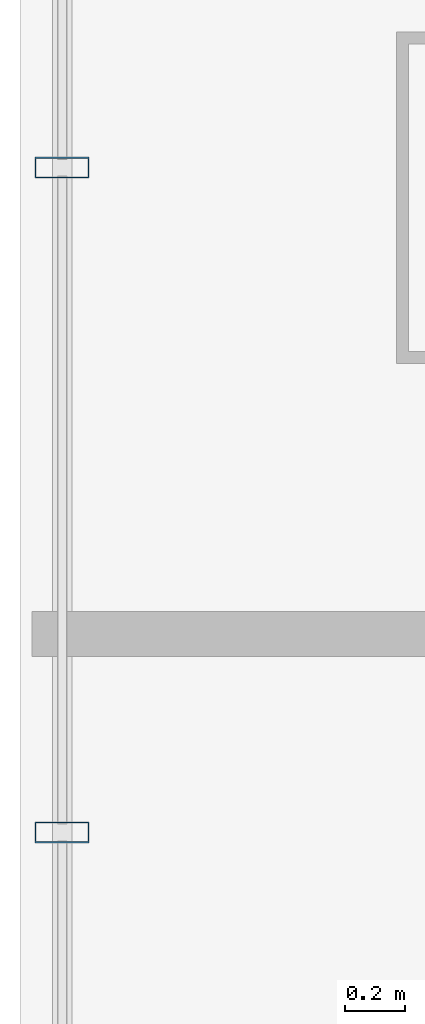
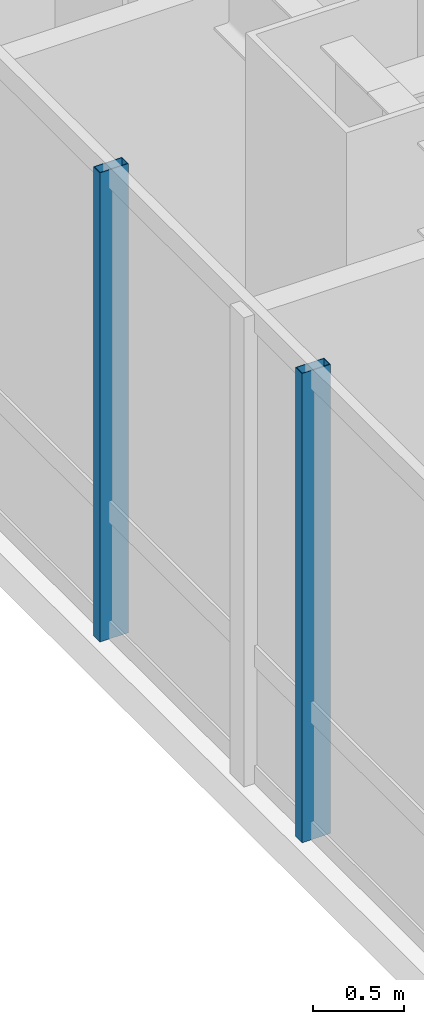
# One storey, part 18 of 38: 2 members, 1 element without a shape of its own.
"""IFC4 building model written with IfcOpenShell, lengths in metres."""

from ifc_helpers import new_model, si_unit, direction, frame, origin, origin_2d, place, context, subcontext, project, spatial, hollow_rectangle, extrude, material, layer, layer_set, material_profile, profile_set, type_object, element, aggregate, save


model = new_model("IFC4")

# Units and contexts
model_context = context("Model", 3, precision=1e-05, world=origin(), true_north=direction((0.0, 1.0)))
body_context = subcontext(model_context, "Body", "Model", "MODEL_VIEW")
ifc_project = project(units=[si_unit("LENGTHUNIT", "METRE"), si_unit("AREAUNIT", "SQUARE_METRE"), si_unit("VOLUMEUNIT", "CUBIC_METRE"), si_unit("PLANEANGLEUNIT", "RADIAN"), si_unit("MASSUNIT", "GRAM", prefix="KILO")], contexts=[model_context])

# Site, building, storey
site_placement = place(None, origin())
site = spatial("IfcSite", under=ifc_project, at=site_placement, CompositionType="ELEMENT")
building_placement = place(site_placement, origin())
building = spatial("IfcBuilding", under=site, at=building_placement, Name="Hatsunagi Terrace Concourse", CompositionType="ELEMENT")
storey_placement = place(building_placement, frame((0.0, 0.0, 63.39990234375)))
storey = spatial("IfcBuildingStorey", under=building, at=storey_placement, Name="L16", CompositionType="ELEMENT", Elevation=63.39990234375)

# Curtain wall, members
ifc_material_1 = material(Name="Anodised Aluminium Alloy 6063-T5", Category="aluminium")
ifc_layer = layer(ifc_material_1, 0.199951171875)
ifc_layer_set = layer_set([ifc_layer], Name="HotelFacade_CW02")
curtain_wall_type = type_object("IfcCurtainWallType", Name="HotelFacade_CW02", PredefinedType="NOTDEFINED", material=ifc_layer_set)
curtain_wall_placement = place(storey_placement, origin())
curtain_wall = element("IfcCurtainWall", 1, at=curtain_wall_placement, inside=storey, type_object=curtain_wall_type, Name="Unitised Curtain Wall CW-02 CW-L16-09", PredefinedType="NOTDEFINED")
ifc_material_2 = material(Name="Anodised Aluminium Alloy 6063-T5", Category="aluminium")
ifc_material_profile = material_profile(ifc_material_2, hollow_rectangle(XDim=0.070068359375, YDim=0.179931640625, WallThickness=0.00390625, at=origin_2d()), Name="ALU-MUL-180x70x4")
ifc_profile_set = profile_set([ifc_material_profile], Name="Anodised Aluminium Alloy 6063-T5")
member_type = type_object("IfcMemberType", Name="CurtainWallMullion_180x70", PredefinedType="MULLION", material=ifc_profile_set)
member_1_placement = place(storey_placement, frame((0.139892578125, 34.69189453125, 0.0), z_axis=(0.0, 0.0, 1.0), x_axis=(0.0, 1.0, 0.0)))
member_1 = element("IfcMember", 2, at=member_1_placement, type_object=member_type, Name="Curtain Wall Mullion MUL-02", PredefinedType="MULLION", context=body_context, shape_type="SweptSolid", body=[
    extrude(hollow_rectangle(XDim=0.070068359375, YDim=0.179931640625, WallThickness=0.00390625, at=origin_2d()), origin(), (0.0, 0.0, 1.0), 3.130126953125),
])
member_2_placement = place(storey_placement, frame((0.139892578125, 36.89990234375, 0.0), z_axis=(0.0, 0.0, 1.0), x_axis=(0.0, 1.0, 0.0)))
member_2 = element("IfcMember", 3, at=member_2_placement, type_object=member_type, Name="Curtain Wall Mullion MUL-02", PredefinedType="MULLION", context=body_context, shape_type="SweptSolid", body=[
    extrude(hollow_rectangle(XDim=0.070068359375, YDim=0.179931640625, WallThickness=0.00390625, at=origin_2d()), origin(), (0.0, 0.0, 1.0), 3.130126953125),
])
aggregate(curtain_wall, [member_1, member_2])

save(model, "model.ifc")
